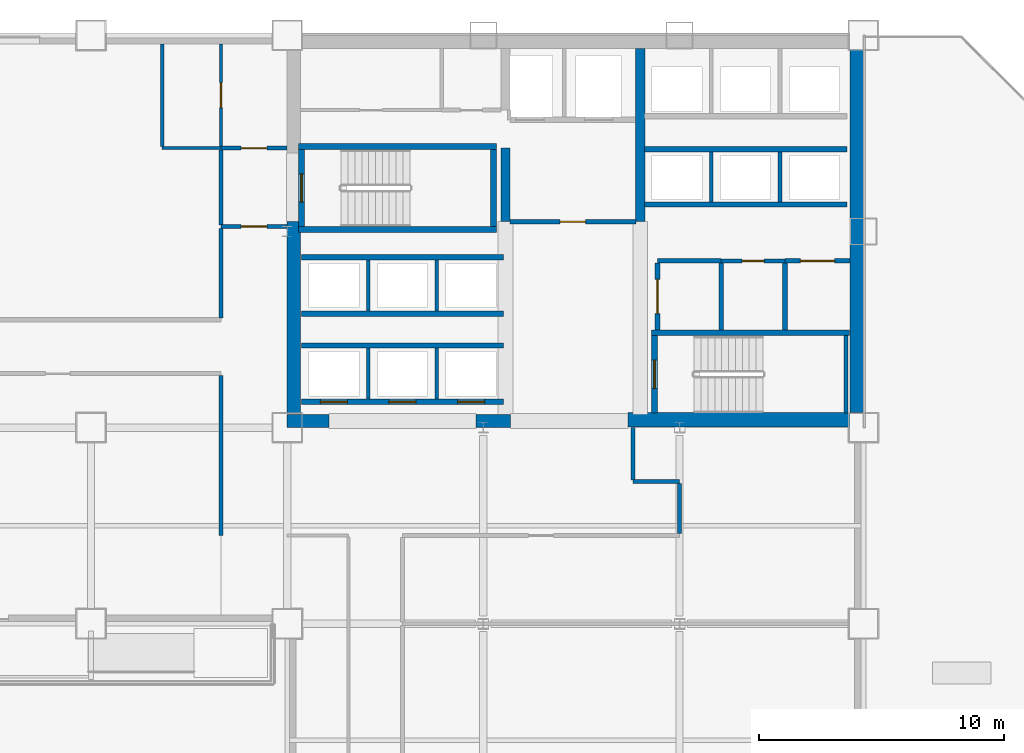
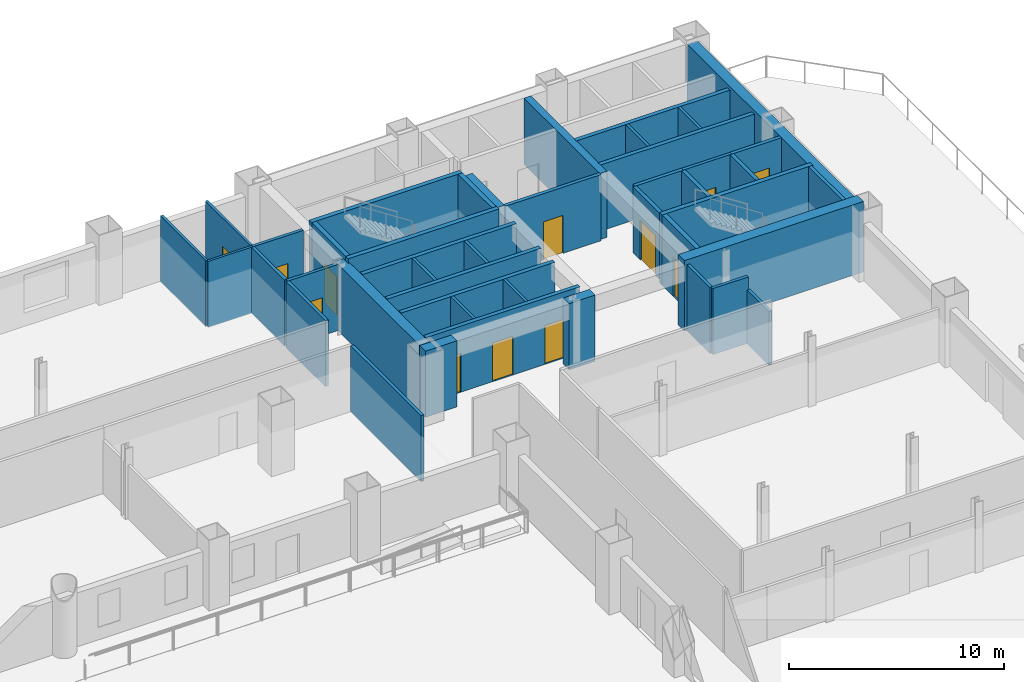
# One storey, part 6 of 11: 44 walls, 12 doors, 12 openings.
"""IFC4 building model written with IfcOpenShell, lengths in metres."""

from ifc_helpers import new_model, si_unit, direction, frame, frame_2d, origin, place, context, subcontext, project, spatial, rectangle, extrude, material, layer, layer_set, type_object, element, fill, save


model = new_model("IFC4")

# Units and contexts
model_context = context("Model", 3, precision=1e-05, world=origin(), true_north=direction((0.0, 1.0)))
body_context = subcontext(model_context, "Body", "Model", "MODEL_VIEW")
ifc_project = project(units=[si_unit("LENGTHUNIT", "METRE"), si_unit("AREAUNIT", "SQUARE_METRE"), si_unit("VOLUMEUNIT", "CUBIC_METRE"), si_unit("PLANEANGLEUNIT", "RADIAN"), si_unit("MASSUNIT", "GRAM", prefix="KILO")], contexts=[model_context])

# Site, building, storey
site_placement = place(None, origin())
site = spatial("IfcSite", under=ifc_project, at=site_placement, CompositionType="ELEMENT")
building_placement = place(site_placement, origin())
building = spatial("IfcBuilding", under=site, at=building_placement, Name="Qianrong Seaharbour Tower", CompositionType="ELEMENT")
storey_placement = place(building_placement, frame((0.0, 0.0, 28.199951171875)))
storey = spatial("IfcBuildingStorey", under=building, at=storey_placement, Name="L06", CompositionType="ELEMENT", Elevation=28.199951171875)

# Walls
ifc_material_1 = material(Name="Concrete C70/85", Category="concrete")
ifc_layer_1 = layer(ifc_material_1, 0.5400390625)
ifc_layer_set_1 = layer_set([ifc_layer_1], Name="Concrete C70/85")
wall_type_1 = type_object("IfcWallType", Name="WALL-CORE-540", PredefinedType="SHEAR", material=ifc_layer_set_1)
wall_1_placement = place(storey_placement, frame((63.72998046875, 36.320068359375, 0.0), z_axis=(0.0, 0.0, 1.0), x_axis=(0.0, 1.0, 0.0)))
element("IfcWall", 1, at=wall_1_placement, inside=storey, type_object=wall_type_1, Name="L06 East Core Shear Wall", PredefinedType="SHEAR", context=body_context, shape_type="SweptSolid", body=[
    extrude(rectangle(XDim=15.139892578125, YDim=0.5400390625, at=frame_2d((7.56982421875, 0.0))), origin(), (0.0, 0.0, 1.0), 3.75),
])
wall_2_placement = place(storey_placement, frame((40.77001953125, 36.5400390625, 0.0), z_axis=(0.0, 0.0, 1.0), x_axis=(0.0, 1.0, 0.0)))
element("IfcWall", 2, at=wall_2_placement, inside=storey, type_object=wall_type_1, Name="L06 West Core Shear Wall South", PredefinedType="SHEAR", context=body_context, shape_type="SweptSolid", body=[
    extrude(rectangle(XDim=7.85986328125, YDim=0.5400390625, at=frame_2d((3.929931640625, 0.0))), origin(), (0.0, 0.0, 1.0), 3.75),
])
wall_3_placement = place(storey_placement, frame((40.5, 36.27001953125, 0.0), z_axis=(0.0, 0.0, 1.0), x_axis=(1.0, 0.0, 0.0)))
element("IfcWall", 3, at=wall_3_placement, inside=storey, type_object=wall_type_1, Name="L06 South Core Shear Wall S1", PredefinedType="SHEAR", context=body_context, shape_type="SweptSolid", body=[
    extrude(rectangle(XDim=1.699951171875, YDim=0.5400390625, at=frame_2d((0.85009765625, 0.0))), origin(), (0.0, 0.0, 1.0), 3.75),
])
wall_4_placement = place(storey_placement, frame((48.199951171875, 36.27001953125, 0.0), z_axis=(0.0, 0.0, 1.0), x_axis=(1.0, 0.0, 0.0)))
element("IfcWall", 4, at=wall_4_placement, inside=storey, type_object=wall_type_1, Name="L06 South Core Shear Wall S2", PredefinedType="SHEAR", context=body_context, shape_type="SweptSolid", body=[
    extrude(rectangle(XDim=1.400146484375, YDim=0.5400390625, at=frame_2d((0.7001953125, 0.0))), origin(), (0.0, 0.0, 1.0), 3.75),
])
ifc_layer_2 = layer(ifc_material_1, 0.580078125)
ifc_layer_set_2 = layer_set([ifc_layer_2], Name="Concrete C70/85")
wall_type_2 = type_object("IfcWallType", Name="WALL-CORE-580", PredefinedType="SHEAR", material=ifc_layer_set_2)
wall_5_placement = place(storey_placement, frame((54.39990234375, 36.320068359375, 0.0), z_axis=(0.0, 0.0, 1.0), x_axis=(1.0, 0.0, 0.0)))
element("IfcWall", 5, at=wall_5_placement, inside=storey, type_object=wall_type_2, Name="L06 South Core Shear Wall S3", PredefinedType="SHEAR", context=body_context, shape_type="SweptSolid", body=[
    extrude(rectangle(XDim=9.60009765625, YDim=0.580078125, at=frame_2d((4.800048828125, 0.0))), origin(), (0.0, 0.0, 1.0), 4.0),
])
ifc_material_2 = material(Name="Concrete C60/75", Category="concrete")
ifc_layer_3 = layer(ifc_material_2, 0.3798828125)
ifc_layer_set_3 = layer_set([ifc_layer_3], Name="Concrete C60/75")
wall_type_3 = type_object("IfcWallType", Name="WALL-CORE-INT-380", PredefinedType="SHEAR", material=ifc_layer_set_3)
wall_6_placement = place(storey_placement, frame((49.39990234375, 44.39990234375, 0.0), z_axis=(0.0, 0.0, 1.0), x_axis=(0.0, 1.0, 0.0)))
element("IfcWall", 6, at=wall_6_placement, inside=storey, type_object=wall_type_3, Name="L06 Internal Core Shear Wall IW1N1", PredefinedType="SHEAR", context=body_context, shape_type="SweptSolid", body=[
    extrude(rectangle(XDim=3.0, YDim=0.3798828125, at=frame_2d((1.5, 0.0))), origin(), (0.0, 0.0, 1.0), 3.75),
])
wall_7_placement = place(storey_placement, frame((54.89990234375, 44.39990234375, 0.0), z_axis=(0.0, 0.0, 1.0), x_axis=(0.0, 1.0, 0.0)))
element("IfcWall", 7, at=wall_7_placement, inside=storey, type_object=wall_type_3, Name="L06 Internal Core Shear Wall IW2N", PredefinedType="SHEAR", context=body_context, shape_type="SweptSolid", body=[
    extrude(rectangle(XDim=7.06005859375, YDim=0.3798828125, at=frame_2d((3.530029296875, 0.0))), origin(), (0.0, 0.0, 1.0), 3.75),
])

# Wall, opening, door
ifc_material_3 = material(Name="Fire-rated acoustic gypsum board partition")
ifc_layer_4 = layer(ifc_material_3, 0.1650390625)
ifc_layer_set_4 = layer_set([ifc_layer_4], Name="Fire-rated acoustic gypsum board partition")
wall_type_4 = type_object("IfcWallType", Name="WALL-CORR-PART-165", PredefinedType="PARTITIONING", material=ifc_layer_set_4)
wall_8_placement = place(storey_placement, frame((37.800048828125, 47.39990234375, 0.0), z_axis=(0.0, 0.0, 1.0), x_axis=(1.0, 0.0, 0.0)))
wall_8 = element("IfcWall", 8, at=wall_8_placement, inside=storey, type_object=wall_type_4, Name="L06 Interior Partition Wall 001", PredefinedType="PARTITIONING", context=body_context, shape_type="SweptSolid", body=[
    extrude(rectangle(XDim=2.699951171875, YDim=0.1650390625, at=frame_2d((1.35009765625, 0.0))), origin(), (0.0, 0.0, 1.0), 3.75),
])
opening_1_placement = place(wall_8_placement, frame((0.824951171875, 0.0, 0.0)))
opening_1 = element("IfcOpeningElement", 9, at=opening_1_placement, cuts=wall_8, Name="Opening DC-01", PredefinedType="OPENING", context=body_context, shape_type="SweptSolid", body=[
    extrude(rectangle(XDim=1.050048828125, YDim=2.14990234375, at=frame_2d((0.52490234375, 1.074951171875))), frame((0.0, 0.092529296875, 0.0), z_axis=(0.0, -1.0, 0.0), x_axis=(1.0, 0.0, 0.0)), (0.0, 0.0, 1.0), 0.18505859375),
])
ifc_material_4 = material(Name="Acoustic timber and galvanized steel fire door assembly", Category="steel")
door_type_1 = type_object("IfcDoorType", Name="DOOR-CORR-FD60-1050x2150", OperationType="NOTDEFINED", PredefinedType="DOOR", material=ifc_material_4)
door_1_placement = place(opening_1_placement, origin())
door_1 = element("IfcDoor", 10, at=door_1_placement, inside=storey, type_object=door_type_1, Name="L06 Smokeproof Stair Vestibule ST-1 Door", OperationType="SINGLE_SWING_LEFT", OverallHeight=2.14990234375, OverallWidth=1.050048828125, PredefinedType="DOOR", context=body_context, shape_type="SweptSolid", body=[
    extrude(rectangle(XDim=1.050048828125, YDim=2.14990234375, at=frame_2d((0.52490234375, 1.074951171875))), frame((0.0, 0.02490234375, 0.0), z_axis=(0.0, -1.0, 0.0), x_axis=(1.0, 0.0, 0.0)), (0.0, 0.0, 1.0), 0.050048828125),
])
fill(opening_1, door_1)

wall_9_placement = place(storey_placement, frame((40.5, 44.199951171875, 0.0), z_axis=(0.0, 0.0, 1.0), x_axis=(-1.0, 0.0, 0.0)))
wall_9 = element("IfcWall", 11, at=wall_9_placement, inside=storey, type_object=wall_type_4, Name="L06 Interior Partition Wall 002", PredefinedType="PARTITIONING", context=body_context, shape_type="SweptSolid", body=[
    extrude(rectangle(XDim=2.699951171875, YDim=0.1650390625, at=frame_2d((1.35009765625, 0.0))), origin(), (0.0, 0.0, 1.0), 3.75),
])
opening_2_placement = place(wall_9_placement, frame((0.824951171875, 0.0, 0.0)))
opening_2 = element("IfcOpeningElement", 12, at=opening_2_placement, cuts=wall_9, Name="Opening DC-01", PredefinedType="OPENING", context=body_context, shape_type="SweptSolid", body=[
    extrude(rectangle(XDim=1.050048828125, YDim=2.14990234375, at=frame_2d((0.52490234375, 1.074951171875))), frame((0.0, 0.092529296875, 0.0), z_axis=(0.0, -1.0, 0.0), x_axis=(1.0, 0.0, 0.0)), (0.0, 0.0, 1.0), 0.18505859375),
])
door_2_placement = place(opening_2_placement, origin())
door_2 = element("IfcDoor", 13, at=door_2_placement, inside=storey, type_object=door_type_1, Name="L06 Smokeproof Stair Vestibule ST-1 Door", OperationType="SINGLE_SWING_RIGHT", OverallHeight=2.14990234375, OverallWidth=1.050048828125, PredefinedType="DOOR", context=body_context, shape_type="SweptSolid", body=[
    extrude(rectangle(XDim=1.050048828125, YDim=2.14990234375, at=frame_2d((0.52490234375, 1.074951171875))), frame((0.0, 0.02490234375, 0.0), z_axis=(0.0, -1.0, 0.0), x_axis=(1.0, 0.0, 0.0)), (0.0, 0.0, 1.0), 0.050048828125),
])
fill(opening_2, door_2)

# Wall
wall_10_placement = place(storey_placement, frame((37.800048828125, 44.2744140625, 0.0), z_axis=(0.0, 0.0, 1.0), x_axis=(0.0, 1.0, 0.0)))
element("IfcWall", 14, at=wall_10_placement, inside=storey, type_object=wall_type_4, Name="L06 Interior Partition Wall 003", PredefinedType="PARTITIONING", context=body_context, shape_type="SweptSolid", body=[
    extrude(rectangle(XDim=3.051025390625, YDim=0.1650390625, at=frame_2d((1.525390625, 0.0))), origin(), (0.0, 0.0, 1.0), 3.75),
])

# Wall, opening, door
wall_11_placement = place(storey_placement, frame((60.800048828125, 42.800048828125, 0.0), z_axis=(0.0, 0.0, 1.0), x_axis=(-1.0, 0.0, 0.0)))
wall_11 = element("IfcWall", 15, at=wall_11_placement, inside=storey, type_object=wall_type_4, Name="L06 Interior Partition Wall 012", PredefinedType="PARTITIONING", context=body_context, shape_type="SweptSolid", body=[
    extrude(rectangle(XDim=2.60009765625, YDim=0.1650390625, at=frame_2d((1.300048828125, 0.0))), origin(), (0.0, 0.0, 1.0), 3.75),
])
opening_3_placement = place(wall_11_placement, frame((0.85009765625, 0.0, 0.0)))
opening_3 = element("IfcOpeningElement", 16, at=opening_3_placement, cuts=wall_11, Name="Opening DS-01", PredefinedType="OPENING", context=body_context, shape_type="SweptSolid", body=[
    extrude(rectangle(XDim=0.89990234375, YDim=2.14990234375, at=frame_2d((0.449951171875, 1.074951171875))), frame((0.0, 0.092529296875, 0.0), z_axis=(0.0, -1.0, 0.0), x_axis=(1.0, 0.0, 0.0)), (0.0, 0.0, 1.0), 0.18505859375),
])
door_type_2 = type_object("IfcDoorType", Name="DOOR-STORE-900x2150", OperationType="NOTDEFINED", PredefinedType="DOOR", material=ifc_material_4)
door_3_placement = place(opening_3_placement, origin())
door_3 = element("IfcDoor", 17, at=door_3_placement, inside=storey, type_object=door_type_2, Name="L06 Supply Store Room Door", OperationType="SINGLE_SWING_LEFT", OverallHeight=2.14990234375, OverallWidth=0.89990234375, PredefinedType="DOOR", context=body_context, shape_type="SweptSolid", body=[
    extrude(rectangle(XDim=0.89990234375, YDim=2.14990234375, at=frame_2d((0.449951171875, 1.074951171875))), frame((0.0, 0.02490234375, 0.0), z_axis=(0.0, -1.0, 0.0), x_axis=(1.0, 0.0, 0.0)), (0.0, 0.0, 1.0), 0.050048828125),
])
fill(opening_3, door_3)

# Walls
wall_12_placement = place(storey_placement, frame((37.800048828125, 40.474609375, 0.0), z_axis=(0.0, 0.0, 1.0), x_axis=(0.0, 1.0, 0.0)))
element("IfcWall", 18, at=wall_12_placement, inside=storey, type_object=wall_type_4, Name="L06 Interior Partition Wall 020", PredefinedType="PARTITIONING", context=body_context, shape_type="SweptSolid", body=[
    extrude(rectangle(XDim=3.65087890625, YDim=0.1650390625, at=frame_2d((1.825439453125, 0.0))), origin(), (0.0, 0.0, 1.0), 3.75),
])
wall_13_placement = place(storey_placement, frame((37.800048828125, 31.60009765625, 0.0), z_axis=(0.0, 0.0, 1.0), x_axis=(0.0, 1.0, 0.0)))
element("IfcWall", 19, at=wall_13_placement, inside=storey, type_object=wall_type_4, Name="L06 Interior Partition Wall 021", PredefinedType="PARTITIONING", context=body_context, shape_type="SweptSolid", body=[
    extrude(rectangle(XDim=6.525390625, YDim=0.1650390625, at=frame_2d((3.2626953125, 0.0))), origin(), (0.0, 0.0, 1.0), 3.75),
])
wall_14_placement = place(storey_placement, frame((54.60009765625, 36.0, 0.0), z_axis=(0.0, 0.0, 1.0), x_axis=(0.0, -1.0, 0.0)))
element("IfcWall", 20, at=wall_14_placement, inside=storey, type_object=wall_type_4, Name="L06 Interior Partition Wall 022", PredefinedType="PARTITIONING", context=body_context, shape_type="SweptSolid", body=[
    extrude(rectangle(XDim=2.12548828125, YDim=0.1650390625, at=frame_2d((1.062744140625, 0.0))), origin(), (0.0, 0.0, 1.0), 3.75),
])
wall_15_placement = place(storey_placement, frame((54.60009765625, 33.800048828125, 0.0), z_axis=(0.0, 0.0, 1.0), x_axis=(1.0, 0.0, 0.0)))
element("IfcWall", 21, at=wall_15_placement, inside=storey, type_object=wall_type_4, Name="L06 Interior Partition Wall 023", PredefinedType="PARTITIONING", context=body_context, shape_type="SweptSolid", body=[
    extrude(rectangle(XDim=1.89990234375, YDim=0.1650390625, at=frame_2d((0.949951171875, 0.0))), origin(), (0.0, 0.0, 1.0), 3.75),
])
wall_16_placement = place(storey_placement, frame((56.5, 33.7255859375, 0.0), z_axis=(0.0, 0.0, 1.0), x_axis=(0.0, -1.0, 0.0)))
element("IfcWall", 22, at=wall_16_placement, inside=storey, type_object=wall_type_4, Name="L06 Interior Partition Wall 024", PredefinedType="PARTITIONING", context=body_context, shape_type="SweptSolid", body=[
    extrude(rectangle(XDim=2.051025390625, YDim=0.1650390625, at=frame_2d((1.025390625, 0.0))), origin(), (0.0, 0.0, 1.0), 3.0419921875),
])

# Wall, opening, door
ifc_material_5 = material(Name="Double fire-rated gypsum board acoustic partition")
ifc_layer_5 = layer(ifc_material_5, 0.18994140625)
ifc_layer_set_5 = layer_set([ifc_layer_5], Name="Double fire-rated gypsum board acoustic partition")
wall_type_5 = type_object("IfcWallType", Name="WALL-FIRE-PART-190", PredefinedType="PARTITIONING", material=ifc_layer_set_5)
wall_17_placement = place(storey_placement, frame((54.718017578125, 44.39990234375, 0.0), z_axis=(0.0, 0.0, 1.0), x_axis=(-1.0, 0.0, 0.0)))
wall_17 = element("IfcWall", 23, at=wall_17_placement, inside=storey, type_object=wall_type_5, Name="L06 Interior Partition Wall 009", PredefinedType="PARTITIONING", context=body_context, shape_type="SweptSolid", body=[
    extrude(rectangle(XDim=5.135986328125, YDim=0.18994140625, at=frame_2d((2.56787109375, 0.0))), origin(), (0.0, 0.0, 1.0), 3.75),
])
opening_4_placement = place(wall_17_placement, frame((2.04296875, 0.0, 0.0)))
opening_4 = element("IfcOpeningElement", 24, at=opening_4_placement, cuts=wall_17, Name="Opening DC-01", PredefinedType="OPENING", context=body_context, shape_type="SweptSolid", body=[
    extrude(rectangle(XDim=1.050048828125, YDim=2.14990234375, at=frame_2d((0.52490234375, 1.074951171875))), frame((0.0, 0.10498046875, 0.0), z_axis=(0.0, -1.0, 0.0), x_axis=(1.0, 0.0, 0.0)), (0.0, 0.0, 1.0), 0.2099609375),
])
door_4_placement = place(opening_4_placement, origin())
door_4 = element("IfcDoor", 25, at=door_4_placement, inside=storey, type_object=door_type_1, Name="L06 Firefighting Lift Lobby Door", OperationType="SINGLE_SWING_RIGHT", OverallHeight=2.14990234375, OverallWidth=1.050048828125, PredefinedType="DOOR", context=body_context, shape_type="SweptSolid", body=[
    extrude(rectangle(XDim=1.050048828125, YDim=2.14990234375, at=frame_2d((0.52490234375, 1.074951171875))), frame((0.0, 0.02490234375, 0.0), z_axis=(0.0, -1.0, 0.0), x_axis=(1.0, 0.0, 0.0)), (0.0, 0.0, 1.0), 0.050048828125),
])
fill(opening_4, door_4)

wall_18_placement = place(storey_placement, frame((55.60009765625, 42.712890625, 0.0), z_axis=(0.0, 0.0, 1.0), x_axis=(0.0, -1.0, 0.0)))
wall_18 = element("IfcWall", 26, at=wall_18_placement, inside=storey, type_object=wall_type_5, Name="L06 Interior Partition Wall 010", PredefinedType="PARTITIONING", context=body_context, shape_type="SweptSolid", body=[
    extrude(rectangle(XDim=2.73095703125, YDim=0.18994140625, at=frame_2d((1.365478515625, 0.0))), origin(), (0.0, 0.0, 1.0), 3.75),
])
opening_5_placement = place(wall_18_placement, frame((0.66552734375, 0.0, 0.0)))
opening_5 = element("IfcOpeningElement", 27, at=opening_5_placement, cuts=wall_18, Name="Opening DP-01", PredefinedType="OPENING", context=body_context, shape_type="SweptSolid", body=[
    extrude(rectangle(XDim=1.39990234375, YDim=2.25, at=frame_2d((0.699951171875, 1.125))), frame((0.0, 0.10498046875, 0.0), z_axis=(0.0, -1.0, 0.0), x_axis=(1.0, 0.0, 0.0)), (0.0, 0.0, 1.0), 0.2099609375),
])
door_type_3 = type_object("IfcDoorType", Name="DOOR-PLANT-PAIR-1400x2250", OperationType="DOUBLE_DOOR_SINGLE_SWING", PredefinedType="DOOR", material=ifc_material_4)
door_5_placement = place(opening_5_placement, origin())
door_5 = element("IfcDoor", 28, at=door_5_placement, inside=storey, type_object=door_type_3, Name="L06 Core Telecom Room Door", OperationType="DOUBLE_DOOR_SINGLE_SWING", OverallHeight=2.25, OverallWidth=1.39990234375, PredefinedType="DOOR", context=body_context, shape_type="SweptSolid", body=[
    extrude(rectangle(XDim=1.39990234375, YDim=2.25, at=frame_2d((0.699951171875, 1.125))), frame((0.0, 0.02490234375, 0.0), z_axis=(0.0, -1.0, 0.0), x_axis=(1.0, 0.0, 0.0)), (0.0, 0.0, 1.0), 0.050048828125),
])
fill(opening_5, door_5)

# Wall
wall_19_placement = place(storey_placement, frame((58.199951171875, 42.800048828125, 0.0), z_axis=(0.0, 0.0, 1.0), x_axis=(-1.0, 0.0, 0.0)))
element("IfcWall", 29, at=wall_19_placement, inside=storey, type_object=wall_type_5, Name="L06 Interior Partition Wall 011", PredefinedType="PARTITIONING", context=body_context, shape_type="SweptSolid", body=[
    extrude(rectangle(XDim=2.599853515625, YDim=0.18994140625, at=frame_2d((1.2998046875, 0.0))), origin(), (0.0, 0.0, 1.0), 3.75),
])

# Wall, opening, door
wall_20_placement = place(storey_placement, frame((63.4599609375, 42.800048828125, 0.0), z_axis=(0.0, 0.0, 1.0), x_axis=(-1.0, 0.0, 0.0)))
wall_20 = element("IfcWall", 30, at=wall_20_placement, inside=storey, type_object=wall_type_5, Name="L06 Interior Partition Wall 013", PredefinedType="PARTITIONING", context=body_context, shape_type="SweptSolid", body=[
    extrude(rectangle(XDim=2.659912109375, YDim=0.18994140625, at=frame_2d((1.330078125, 0.0))), origin(), (0.0, 0.0, 1.0), 3.75),
])
opening_6_placement = place(wall_20_placement, frame((0.6298828125, 0.0, 0.0)))
opening_6 = element("IfcOpeningElement", 31, at=opening_6_placement, cuts=wall_20, Name="Opening DP-01", PredefinedType="OPENING", context=body_context, shape_type="SweptSolid", body=[
    extrude(rectangle(XDim=1.39990234375, YDim=2.25, at=frame_2d((0.699951171875, 1.125))), frame((0.0, 0.10498046875, 0.0), z_axis=(0.0, -1.0, 0.0), x_axis=(1.0, 0.0, 0.0)), (0.0, 0.0, 1.0), 0.2099609375),
])
door_6_placement = place(opening_6_placement, origin())
door_6 = element("IfcDoor", 32, at=door_6_placement, inside=storey, type_object=door_type_3, Name="L06 Building Metering Room Door", OperationType="DOUBLE_DOOR_SINGLE_SWING", OverallHeight=2.25, OverallWidth=1.39990234375, PredefinedType="DOOR", context=body_context, shape_type="SweptSolid", body=[
    extrude(rectangle(XDim=1.39990234375, YDim=2.25, at=frame_2d((0.699951171875, 1.125))), frame((0.0, 0.02490234375, 0.0), z_axis=(0.0, -1.0, 0.0), x_axis=(1.0, 0.0, 0.0)), (0.0, 0.0, 1.0), 0.050048828125),
])
fill(opening_6, door_6)

# Walls
for number, where, z_axis, x_axis, name in (
    (33, (58.199951171875, 42.712890625, 0.0), (0.0, 0.0, 1.0), (0.0, -1.0, 0.0), "L06 Interior Partition Wall 015"),
    (34, (60.800048828125, 42.712890625, 0.0), (0.0, 0.0, 1.0), (0.0, -1.0, 0.0), "L06 Interior Partition Wall 016"),
):
    element("IfcWall", number, at=place(storey_placement, frame(where, z_axis=z_axis, x_axis=x_axis)), inside=storey, type_object=wall_type_5, Name=name, PredefinedType="PARTITIONING", context=body_context, shape_type="SweptSolid", body=[
        extrude(rectangle(XDim=2.73095703125, YDim=0.18994140625, at=frame_2d((1.365478515625, 0.0))), origin(), (0.0, 0.0, 1.0), 3.75),
    ])
ifc_material_6 = material(Name="Fire-rated gypsum board on steel studs", Category="steel")
ifc_layer_6 = layer(ifc_material_6, 0.14990234375)
ifc_layer_set_6 = layer_set([ifc_layer_6], Name="Fire-rated gypsum board on steel studs")
wall_type_6 = type_object("IfcWallType", Name="WALL-SHAFT-DIV-150", PredefinedType="PARTITIONING", material=ifc_layer_set_6)
for number, where, z_axis, x_axis, name in (
    (35, (43.800048828125, 37.159912109375, 0.0), (0.0, 0.0, 1.0), (0.0, 1.0, 0.0), "L06 P1 Lift Hoistway Divider 2"),
    (36, (46.60009765625, 37.159912109375, 0.0), (0.0, 0.0, 1.0), (0.0, 1.0, 0.0), "L06 P1 Lift Hoistway Divider 3"),
    (37, (43.800048828125, 40.760009765625, 0.0), (0.0, 0.0, 1.0), (0.0, 1.0, 0.0), "L06 P2 Lift Hoistway Divider 2"),
    (38, (46.60009765625, 40.760009765625, 0.0), (0.0, 0.0, 1.0), (0.0, 1.0, 0.0), "L06 P2 Lift Hoistway Divider 3"),
):
    element("IfcWall", number, at=place(storey_placement, frame(where, z_axis=z_axis, x_axis=x_axis)), inside=storey, type_object=wall_type_6, Name=name, PredefinedType="PARTITIONING", context=body_context, shape_type="SweptSolid", body=[
        extrude(rectangle(XDim=2.080078125, YDim=0.14990234375, at=frame_2d((1.0400390625, 0.0))), origin(), (0.0, 0.0, 1.0), 3.75),
    ])
for number, where, z_axis, x_axis, name in (
    (39, (57.800048828125, 45.2099609375, 0.0), (0.0, 0.0, 1.0), (0.0, 1.0, 0.0), "L06 P3 Lift Hoistway Divider 2"),
    (40, (60.60009765625, 45.2099609375, 0.0), (0.0, 0.0, 1.0), (0.0, 1.0, 0.0), "L06 P3 Lift Hoistway Divider 3"),
):
    element("IfcWall", number, at=place(storey_placement, frame(where, z_axis=z_axis, x_axis=x_axis)), inside=storey, type_object=wall_type_6, Name=name, PredefinedType="PARTITIONING", context=body_context, shape_type="SweptSolid", body=[
        extrude(rectangle(XDim=2.030029296875, YDim=0.14990234375, at=frame_2d((1.01513671875, 0.0))), origin(), (0.0, 0.0, 1.0), 3.75),
    ])

# Wall, openings, doors
ifc_layer_7 = layer(ifc_material_6, 0.219970703125)
ifc_layer_set_7 = layer_set([ifc_layer_7], Name="Fire-rated gypsum board on steel studs")
wall_type_7 = type_object("IfcWallType", Name="WALL-SHAFT-GYP220", PredefinedType="PARTITIONING", material=ifc_layer_set_7)
wall_21_placement = place(storey_placement, frame((49.320068359375, 37.050048828125, 0.0), z_axis=(0.0, 0.0, 1.0), x_axis=(-1.0, 0.0, 0.0)))
wall_21 = element("IfcWall", 41, at=wall_21_placement, inside=storey, type_object=wall_type_7, Name="L06 P1 Lift Hoistway Front Wall", PredefinedType="PARTITIONING", context=body_context, shape_type="SweptSolid", body=[
    extrude(rectangle(XDim=8.239990234375, YDim=0.219970703125, at=frame_2d((4.1201171875, 0.0))), origin(), (0.0, 0.0, 1.0), 3.75),
])
opening_7_placement = place(wall_21_placement, frame((6.3701171875, 0.0, 0.0)))
opening_7 = element("IfcOpeningElement", 42, at=opening_7_placement, cuts=wall_21, Name="Opening LD-02", PredefinedType="OPENING", context=body_context, shape_type="SweptSolid", body=[
    extrude(rectangle(XDim=1.10009765625, YDim=2.199951171875, at=frame_2d((0.550048828125, 1.10009765625))), frame((0.0, 0.1201171875, 0.0), z_axis=(0.0, -1.0, 0.0), x_axis=(1.0, 0.0, 0.0)), (0.0, 0.0, 1.0), 0.239990234375),
])
opening_8_placement = place(wall_21_placement, frame((3.570068359375, 0.0, 0.0)))
opening_8 = element("IfcOpeningElement", 43, at=opening_8_placement, cuts=wall_21, Name="Opening LD-02", PredefinedType="OPENING", context=body_context, shape_type="SweptSolid", body=[
    extrude(rectangle(XDim=1.10009765625, YDim=2.199951171875, at=frame_2d((0.550048828125, 1.10009765625))), frame((0.0, 0.1201171875, 0.0), z_axis=(0.0, -1.0, 0.0), x_axis=(1.0, 0.0, 0.0)), (0.0, 0.0, 1.0), 0.239990234375),
])
opening_9_placement = place(wall_21_placement, frame((0.77001953125, 0.0, 0.0)))
opening_9 = element("IfcOpeningElement", 44, at=opening_9_placement, cuts=wall_21, Name="Opening LD-02", PredefinedType="OPENING", context=body_context, shape_type="SweptSolid", body=[
    extrude(rectangle(XDim=1.10009765625, YDim=2.199951171875, at=frame_2d((0.550048828125, 1.10009765625))), frame((0.0, 0.1201171875, 0.0), z_axis=(0.0, -1.0, 0.0), x_axis=(1.0, 0.0, 0.0)), (0.0, 0.0, 1.0), 0.239990234375),
])
ifc_material_7 = material(Name="Stainless steel SUS316L bi-parting lift landing door", Category="steel")
door_type_4 = type_object("IfcDoorType", Name="DOOR-LIFT-PASS-1100x2200", OperationType="DOUBLE_DOOR_SLIDING", PredefinedType="DOOR", material=ifc_material_7)
door_7_placement = place(opening_7_placement, origin())
door_7 = element("IfcDoor", 45, at=door_7_placement, inside=storey, type_object=door_type_4, Name="L06 PL-1A Lift Landing Door", OperationType="DOUBLE_DOOR_SLIDING", OverallHeight=2.199951171875, OverallWidth=1.10009765625, PredefinedType="DOOR", context=body_context, shape_type="SweptSolid", body=[
    extrude(rectangle(XDim=1.10009765625, YDim=2.199951171875, at=frame_2d((0.550048828125, 1.10009765625))), frame((0.0, 0.02490234375, 0.0), z_axis=(0.0, -1.0, 0.0), x_axis=(1.0, 0.0, 0.0)), (0.0, 0.0, 1.0), 0.050048828125),
])
fill(opening_7, door_7)
door_8_placement = place(opening_8_placement, origin())
door_8 = element("IfcDoor", 46, at=door_8_placement, inside=storey, type_object=door_type_4, Name="L06 PL-1B Lift Landing Door", OperationType="DOUBLE_DOOR_SLIDING", OverallHeight=2.199951171875, OverallWidth=1.10009765625, PredefinedType="DOOR", context=body_context, shape_type="SweptSolid", body=[
    extrude(rectangle(XDim=1.10009765625, YDim=2.199951171875, at=frame_2d((0.550048828125, 1.10009765625))), frame((0.0, 0.02490234375, 0.0), z_axis=(0.0, -1.0, 0.0), x_axis=(1.0, 0.0, 0.0)), (0.0, 0.0, 1.0), 0.050048828125),
])
fill(opening_8, door_8)
door_9_placement = place(opening_9_placement, origin())
door_9 = element("IfcDoor", 47, at=door_9_placement, inside=storey, type_object=door_type_4, Name="L06 PL-1C Lift Landing Door", OperationType="DOUBLE_DOOR_SLIDING", OverallHeight=2.199951171875, OverallWidth=1.10009765625, PredefinedType="DOOR", context=body_context, shape_type="SweptSolid", body=[
    extrude(rectangle(XDim=1.10009765625, YDim=2.199951171875, at=frame_2d((0.550048828125, 1.10009765625))), frame((0.0, 0.02490234375, 0.0), z_axis=(0.0, -1.0, 0.0), x_axis=(1.0, 0.0, 0.0)), (0.0, 0.0, 1.0), 0.050048828125),
])
fill(opening_9, door_9)

# Walls
for number, where, z_axis, x_axis, name in (
    (48, (41.080078125, 39.35009765625, 0.0), (0.0, 0.0, 1.0), (1.0, 0.0, 0.0), "L06 P1 Lift Hoistway Back Wall"),
    (49, (49.320068359375, 40.64990234375, 0.0), (0.0, 0.0, 1.0), (-1.0, 0.0, 0.0), "L06 P2 Lift Hoistway Front Wall"),
    (50, (41.080078125, 42.949951171875, 0.0), (0.0, 0.0, 1.0), (1.0, 0.0, 0.0), "L06 P2 Lift Hoistway Back Wall"),
    (51, (63.320068359375, 45.10009765625, 0.0), (0.0, 0.0, 1.0), (-1.0, 0.0, 0.0), "L06 P3 Lift Hoistway Front Wall"),
    (52, (55.080078125, 47.35009765625, 0.0), (0.0, 0.0, 1.0), (1.0, 0.0, 0.0), "L06 P3 Lift Hoistway Back Wall"),
):
    element("IfcWall", number, at=place(storey_placement, frame(where, z_axis=z_axis, x_axis=x_axis)), inside=storey, type_object=wall_type_7, Name=name, PredefinedType="PARTITIONING", context=body_context, shape_type="SweptSolid", body=[
        extrude(rectangle(XDim=8.239990234375, YDim=0.219970703125, at=frame_2d((4.1201171875, 0.0))), origin(), (0.0, 0.0, 1.0), 3.75),
    ])
ifc_material_8 = material(Name="Concrete C50/60", Category="concrete")
ifc_layer_8 = layer(ifc_material_8, 0.239990234375)
ifc_layer_set_8 = layer_set([ifc_layer_8], Name="Concrete C50/60")
wall_type_8 = type_object("IfcWallType", Name="WALL-SHAFT-RC240", PredefinedType="SOLIDWALL", material=ifc_layer_set_8)
for number, where, z_axis, x_axis, name in (
    (53, (40.9599609375, 47.469970703125, 0.0), (0.0, 0.0, 1.0), (1.0, 0.0, 0.0), "L06 ST-1 Structural Stair Core Wall N"),
    (54, (49.0400390625, 44.080078125, 0.0), (0.0, 0.0, 1.0), (-1.0, 0.0, 0.0), "L06 ST-1 Structural Stair Core Wall S"),
):
    element("IfcWall", number, at=place(storey_placement, frame(where, z_axis=z_axis, x_axis=x_axis)), inside=storey, type_object=wall_type_8, Name=name, PredefinedType="SOLIDWALL", context=body_context, shape_type="SweptSolid", body=[
        extrude(rectangle(XDim=8.080078125, YDim=0.239990234375, at=frame_2d((4.0400390625, 0.0))), origin(), (0.0, 0.0, 1.0), 4.0),
    ])

# Wall, opening, door
wall_22_placement = place(storey_placement, frame((41.080078125, 47.35009765625, 0.0), z_axis=(0.0, 0.0, 1.0), x_axis=(0.0, -1.0, 0.0)))
wall_22 = element("IfcWall", 55, at=wall_22_placement, inside=storey, type_object=wall_type_8, Name="L06 ST-1 Structural Stair Core Wall W", PredefinedType="SOLIDWALL", context=body_context, shape_type="SweptSolid", body=[
    extrude(rectangle(XDim=3.150146484375, YDim=0.239990234375, at=frame_2d((1.5751953125, 0.0))), origin(), (0.0, 0.0, 1.0), 4.0),
])
opening_10_placement = place(wall_22_placement, frame((1.0, 0.0, 0.0)))
opening_10 = element("IfcOpeningElement", 56, at=opening_10_placement, cuts=wall_22, Name="Opening SD-01", PredefinedType="OPENING", context=body_context, shape_type="SweptSolid", body=[
    extrude(rectangle(XDim=1.14990234375, YDim=2.199951171875, at=frame_2d((0.574951171875, 1.10009765625))), frame((0.0, 0.1298828125, 0.0), z_axis=(0.0, -1.0, 0.0), x_axis=(1.0, 0.0, 0.0)), (0.0, 0.0, 1.0), 0.260009765625),
])
door_type_5 = type_object("IfcDoorType", Name="DOOR-STAIR-FD60-1150x2200", OperationType="NOTDEFINED", PredefinedType="DOOR", material=ifc_material_4)
door_10_placement = place(opening_10_placement, origin())
door_10 = element("IfcDoor", 57, at=door_10_placement, inside=storey, type_object=door_type_5, Name="L06 ST-1 Protected Stair Door", OperationType="SINGLE_SWING_LEFT", OverallHeight=2.199951171875, OverallWidth=1.14990234375, PredefinedType="DOOR", context=body_context, shape_type="SweptSolid", body=[
    extrude(rectangle(XDim=1.14990234375, YDim=2.199951171875, at=frame_2d((0.574951171875, 1.10009765625))), frame((0.0, 0.02490234375, 0.0), z_axis=(0.0, -1.0, 0.0), x_axis=(1.0, 0.0, 0.0)), (0.0, 0.0, 1.0), 0.050048828125),
])
fill(opening_10, door_10)

# Walls
wall_23_placement = place(storey_placement, frame((48.919921875, 44.199951171875, 0.0), z_axis=(0.0, 0.0, 1.0), x_axis=(0.0, 1.0, 0.0)))
element("IfcWall", 58, at=wall_23_placement, inside=storey, type_object=wall_type_8, Name="L06 ST-1 Structural Stair Core Wall E", PredefinedType="SOLIDWALL", context=body_context, shape_type="SweptSolid", body=[
    extrude(rectangle(XDim=3.150146484375, YDim=0.239990234375, at=frame_2d((1.5751953125, 0.0))), origin(), (0.0, 0.0, 1.0), 4.0),
])
wall_24_placement = place(storey_placement, frame((55.360107421875, 39.8701171875, 0.0), z_axis=(0.0, 0.0, 1.0), x_axis=(1.0, 0.0, 0.0)))
element("IfcWall", 59, at=wall_24_placement, inside=storey, type_object=wall_type_8, Name="L06 ST-2 Structural Stair Core Wall N", PredefinedType="SOLIDWALL", context=body_context, shape_type="SweptSolid", body=[
    extrude(rectangle(XDim=8.079833984375, YDim=0.239990234375, at=frame_2d((4.0400390625, 0.0))), origin(), (0.0, 0.0, 1.0), 4.0),
])

# Wall, opening, door
wall_25_placement = place(storey_placement, frame((55.47998046875, 39.75, 0.0), z_axis=(0.0, 0.0, 1.0), x_axis=(0.0, -1.0, 0.0)))
wall_25 = element("IfcWall", 60, at=wall_25_placement, inside=storey, type_object=wall_type_8, Name="L06 ST-2 Structural Stair Core Wall W", PredefinedType="SOLIDWALL", context=body_context, shape_type="SweptSolid", body=[
    extrude(rectangle(XDim=3.14990234375, YDim=0.239990234375, at=frame_2d((1.574951171875, 0.0))), origin(), (0.0, 0.0, 1.0), 4.0),
])
opening_11_placement = place(wall_25_placement, frame((1.0, 0.0, 0.0)))
opening_11 = element("IfcOpeningElement", 61, at=opening_11_placement, cuts=wall_25, Name="Opening SD-01", PredefinedType="OPENING", context=body_context, shape_type="SweptSolid", body=[
    extrude(rectangle(XDim=1.14990234375, YDim=2.199951171875, at=frame_2d((0.574951171875, 1.10009765625))), frame((0.0, 0.1298828125, 0.0), z_axis=(0.0, -1.0, 0.0), x_axis=(1.0, 0.0, 0.0)), (0.0, 0.0, 1.0), 0.260009765625),
])
door_11_placement = place(opening_11_placement, origin())
door_11 = element("IfcDoor", 62, at=door_11_placement, inside=storey, type_object=door_type_5, Name="L06 ST-2 Protected Stair Door", OperationType="SINGLE_SWING_LEFT", OverallHeight=2.199951171875, OverallWidth=1.14990234375, PredefinedType="DOOR", context=body_context, shape_type="SweptSolid", body=[
    extrude(rectangle(XDim=1.14990234375, YDim=2.199951171875, at=frame_2d((0.574951171875, 1.10009765625))), frame((0.0, 0.02490234375, 0.0), z_axis=(0.0, -1.0, 0.0), x_axis=(1.0, 0.0, 0.0)), (0.0, 0.0, 1.0), 0.050048828125),
])
fill(opening_11, door_11)

# Wall
wall_26_placement = place(storey_placement, frame((63.2900390625, 36.60009765625, 0.0), z_axis=(0.0, 0.0, 1.0), x_axis=(0.0, 1.0, 0.0)))
element("IfcWall", 63, at=wall_26_placement, inside=storey, type_object=wall_type_8, Name="L06 ST-2 Structural Stair Core Wall E", PredefinedType="SOLIDWALL", context=body_context, shape_type="SweptSolid", body=[
    extrude(rectangle(XDim=3.14990234375, YDim=0.179931640625, at=frame_2d((1.574951171875, 0.0))), origin(), (0.0, 0.0, 1.0), 4.0),
])

# Wall, opening, door
ifc_material_9 = material(Name="Water-resistant cement board sanitary partition")
ifc_layer_9 = layer(ifc_material_9, 0.1298828125)
ifc_layer_set_9 = layer_set([ifc_layer_9], Name="Water-resistant cement board sanitary partition")
wall_type_9 = type_object("IfcWallType", Name="WALL-WET-PART-130", PredefinedType="PARTITIONING", material=ifc_layer_set_9)
wall_27_placement = place(storey_placement, frame((37.800048828125, 47.474609375, 0.0), z_axis=(0.0, 0.0, 1.0), x_axis=(0.0, 1.0, 0.0)))
wall_27 = element("IfcWall", 64, at=wall_27_placement, inside=storey, type_object=wall_type_9, Name="L06 Interior Partition Wall 004", PredefinedType="PARTITIONING", context=body_context, shape_type="SweptSolid", body=[
    extrude(rectangle(XDim=4.17333984375, YDim=0.1298828125, at=frame_2d((2.086669921875, 0.0))), origin(), (0.0, 0.0, 1.0), 3.75),
])
opening_12_placement = place(wall_27_placement, frame((1.57666015625, 0.0, 0.0)))
opening_12 = element("IfcOpeningElement", 65, at=opening_12_placement, cuts=wall_27, Name="Opening DAW-01", PredefinedType="OPENING", context=body_context, shape_type="SweptSolid", body=[
    extrude(rectangle(XDim=1.02001953125, YDim=2.14990234375, at=frame_2d((0.510009765625, 1.074951171875))), frame((0.0, 0.074951171875, 0.0), z_axis=(0.0, -1.0, 0.0), x_axis=(1.0, 0.0, 0.0)), (0.0, 0.0, 1.0), 0.14990234375),
])
door_type_6 = type_object("IfcDoorType", Name="DOOR-AWC-SLIDE-1020x2150", OperationType="SLIDING_TO_LEFT", PredefinedType="DOOR", material=ifc_material_4)
door_12_placement = place(opening_12_placement, origin())
door_12 = element("IfcDoor", 66, at=door_12_placement, inside=storey, type_object=door_type_6, Name="L06 Accessible Restroom WC Door", OperationType="SLIDING_TO_LEFT", OverallHeight=2.14990234375, OverallWidth=1.02001953125, PredefinedType="DOOR", context=body_context, shape_type="SweptSolid", body=[
    extrude(rectangle(XDim=1.02001953125, YDim=2.14990234375, at=frame_2d((0.510009765625, 1.074951171875))), frame((0.0, 0.02490234375, 0.0), z_axis=(0.0, -1.0, 0.0), x_axis=(1.0, 0.0, 0.0)), (0.0, 0.0, 1.0), 0.050048828125),
])
fill(opening_12, door_12)

# Walls
wall_28_placement = place(storey_placement, frame((37.800048828125, 47.39990234375, 0.0), z_axis=(0.0, 0.0, 1.0), x_axis=(-1.0, 0.0, 0.0)))
element("IfcWall", 67, at=wall_28_placement, inside=storey, type_object=wall_type_9, Name="L06 Interior Partition Wall 005", PredefinedType="PARTITIONING", context=body_context, shape_type="SweptSolid", body=[
    extrude(rectangle(XDim=2.400146484375, YDim=0.1298828125, at=frame_2d((1.2001953125, 0.0))), origin(), (0.0, 0.0, 1.0), 3.75),
])
wall_29_placement = place(storey_placement, frame((35.39990234375, 47.45703125, 0.0), z_axis=(0.0, 0.0, 1.0), x_axis=(0.0, 1.0, 0.0)))
element("IfcWall", 68, at=wall_29_placement, inside=storey, type_object=wall_type_9, Name="L06 Interior Partition Wall 006", PredefinedType="PARTITIONING", context=body_context, shape_type="SweptSolid", body=[
    extrude(rectangle(XDim=4.19091796875, YDim=0.1298828125, at=frame_2d((2.095458984375, 0.0))), origin(), (0.0, 0.0, 1.0), 3.75),
])

save(model, "model.ifc")
